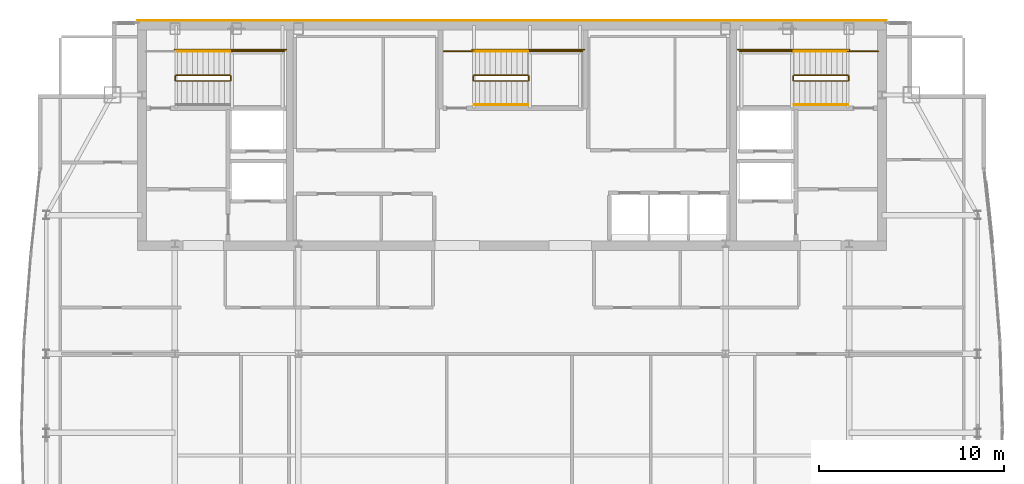
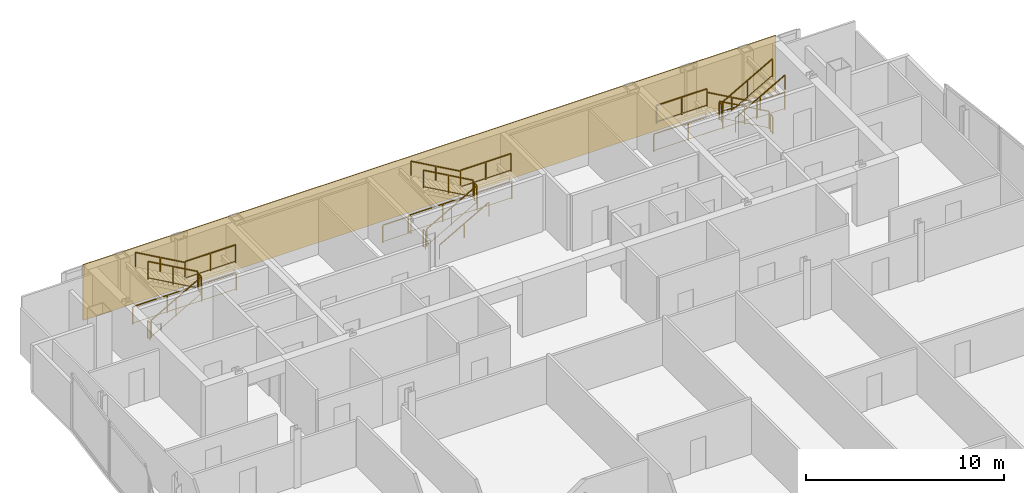
# One storey, part 27 of 27: 25 railings, 1 covering.
"""IFC4 building model written with IfcOpenShell, lengths in metres."""

from ifc_helpers import new_model, si_unit, direction, frame, origin, origin_2d, place, context, subcontext, project, spatial, polyline, rectangle, outline, extrude, material, layer, layer_set, type_object, element, save


model = new_model("IFC4")

# Units and contexts
model_context = context("Model", 3, precision=1e-05, world=origin(), true_north=direction((0.0, 1.0)))
body_context = subcontext(model_context, "Body", "Model", "MODEL_VIEW")
ifc_project = project(units=[si_unit("LENGTHUNIT", "METRE"), si_unit("AREAUNIT", "SQUARE_METRE"), si_unit("VOLUMEUNIT", "CUBIC_METRE"), si_unit("PLANEANGLEUNIT", "RADIAN"), si_unit("MASSUNIT", "GRAM", prefix="KILO")], contexts=[model_context])

# Site, building, storey
site_placement = place(None, origin())
site = spatial("IfcSite", under=ifc_project, at=site_placement, CompositionType="ELEMENT")
building_placement = place(site_placement, origin())
building = spatial("IfcBuilding", under=site, at=building_placement, Name="Khoronbel Lancet Exchange", CompositionType="ELEMENT")
storey_placement = place(building_placement, frame((0.0, 0.0, 343.39990234375)))
storey = spatial("IfcBuildingStorey", under=building, at=storey_placement, Name="L89", CompositionType="ELEMENT", Elevation=343.39990234375)

# Covering
ifc_material_1 = material(Name="Honed Egyptian Limestone & Bronze Rainscreen", Category="masonry")
ifc_layer = layer(ifc_material_1, 0.050048828125, Name="Honed Egyptian Limestone & Bronze Rainscreen")
ifc_layer_set = layer_set([ifc_layer], Name="Honed Egyptian Limestone & Bronze Rainscreen")
covering_type = type_object("IfcCoveringType", Name="COV-CLAD1", PredefinedType="CLADDING", material=ifc_layer_set)
covering_placement = place(storey_placement, origin())
element("IfcCovering", 1, at=covering_placement, inside=storey, type_object=covering_type, Name="Level L89 north rear-core stone and bronze rainscreen cladding", PredefinedType="CLADDING", context=body_context, shape_type="SweptSolid", body=[
    extrude(outline(polyline([(16.199951171875, 53.699951171875), (56.699951171875, 53.699951171875), (56.699951171875, 53.75), (16.199951171875, 53.75), (16.199951171875, 53.699951171875)])), origin(), (0.0, 0.0, 1.0), 3.440185546875),
])

# Railings
ifc_material_2 = material(Name="Painted Steel Balustrade", Category="steel")
railing_type_1 = type_object("IfcRailingType", Name="RL-STG110", PredefinedType="GUARDRAIL", material=ifc_material_2)
railing_1_placement = place(storey_placement, frame((18.300048828125, 50.449951171875, 0.163818359375)))
element("IfcRailing", 2, at=railing_1_placement, inside=storey, type_object=railing_type_1, Name="L89 ST1 stair guard 1", PredefinedType="GUARDRAIL", context=body_context, shape_type="SweptSolid", body=[
    extrude(rectangle(XDim=0.048095703125, YDim=0.048095703125, at=origin_2d()), frame((0.0, 0.0, 1.09619140625), z_axis=(0.870928581787, 0.0, 0.491409610636), x_axis=(0.0, 1.0, 0.0)), (0.0, 0.0, 1.0), 3.32958984375),
    extrude(rectangle(XDim=0.02392578125, YDim=0.02392578125, at=origin_2d()), frame((0.0, 0.0, 0.080078125), z_axis=(0.870928581787, 0.0, 0.491409610636), x_axis=(0.0, 1.0, 0.0)), (0.0, 0.0, 1.0), 3.32958984375),
    extrude(rectangle(XDim=0.0419921875, YDim=0.0419921875, at=origin_2d()), origin(), (0.0, 0.0, 1.0), 1.072021484375),
    extrude(rectangle(XDim=0.0419921875, YDim=0.0419921875, at=origin_2d()), frame((1.449951171875, 0.0, 0.818115234375)), (0.0, 0.0, 1.0), 1.072021484375),
    extrude(rectangle(XDim=0.0419921875, YDim=0.0419921875, at=origin_2d()), frame((2.89990234375, 0.0, 1.63623046875)), (0.0, 0.0, 1.0), 1.072021484375),
])
railing_2_placement = place(storey_placement, frame((21.25, 50.5, 1.800048828125)))
element("IfcRailing", 3, at=railing_2_placement, inside=storey, type_object=railing_type_1, Name="L89 ST1 stair guard 2", PredefinedType="GUARDRAIL", context=body_context, shape_type="SweptSolid", body=[
    extrude(rectangle(XDim=0.048095703125, YDim=0.048095703125, at=origin_2d()), frame((0.0, 0.0, 1.09619140625), z_axis=(0.0, 1.0, 0.0), x_axis=(-1.0, 0.0, 0.0)), (0.0, 0.0, 1.0), 0.219970703125),
    extrude(rectangle(XDim=0.02392578125, YDim=0.02392578125, at=origin_2d()), frame((0.0, 0.0, 0.080078125), z_axis=(0.0, 1.0, 0.0), x_axis=(-1.0, 0.0, 0.0)), (0.0, 0.0, 1.0), 0.219970703125),
    extrude(rectangle(XDim=0.0419921875, YDim=0.0419921875, at=origin_2d()), origin(), (0.0, 0.0, 1.0), 1.072021484375),
    extrude(rectangle(XDim=0.0419921875, YDim=0.0419921875, at=origin_2d()), frame((0.0, 0.219970703125, 0.0)), (0.0, 0.0, 1.0), 1.072021484375),
])
railing_3_placement = place(storey_placement, frame((21.199951171875, 52.050048828125, 1.800048828125)))
element("IfcRailing", 4, at=railing_3_placement, inside=storey, type_object=railing_type_1, Name="L89 ST1 stair guard 3", PredefinedType="GUARDRAIL", context=body_context, shape_type="SweptSolid", body=[
    extrude(rectangle(XDim=0.048095703125, YDim=0.048095703125, at=origin_2d()), frame((0.0, 0.0, 1.09619140625), z_axis=(1.0, 0.0, 0.0), x_axis=(0.0, 1.0, 0.0)), (0.0, 0.0, 1.0), 2.949951171875),
    extrude(rectangle(XDim=0.02392578125, YDim=0.02392578125, at=origin_2d()), frame((0.0, 0.0, 0.080078125), z_axis=(1.0, 0.0, 0.0), x_axis=(0.0, 1.0, 0.0)), (0.0, 0.0, 1.0), 2.949951171875),
    extrude(rectangle(XDim=0.0419921875, YDim=0.0419921875, at=origin_2d()), origin(), (0.0, 0.0, 1.0), 1.072021484375),
    extrude(rectangle(XDim=0.0419921875, YDim=0.0419921875, at=origin_2d()), frame((1.47509765625, 0.0, 0.0)), (0.0, 0.0, 1.0), 1.072021484375),
    extrude(rectangle(XDim=0.0419921875, YDim=0.0419921875, at=origin_2d()), frame((2.949951171875, 0.0, 0.0)), (0.0, 0.0, 1.0), 1.072021484375),
])
railing_4_placement = place(storey_placement, frame((21.199951171875, 50.77001953125, 1.963623046875)))
element("IfcRailing", 5, at=railing_4_placement, inside=storey, type_object=railing_type_1, Name="L89 ST1 stair guard 4", PredefinedType="GUARDRAIL", context=body_context, shape_type="SweptSolid", body=[
    extrude(rectangle(XDim=0.048095703125, YDim=0.048095703125, at=origin_2d()), frame((0.0, 0.0, 1.09619140625), z_axis=(-0.870897200241, 0.0, 0.491465224214), x_axis=(0.0, -1.0, 0.0)), (0.0, 0.0, 1.0), 3.329833984375),
    extrude(rectangle(XDim=0.02392578125, YDim=0.02392578125, at=origin_2d()), frame((0.0, 0.0, 0.080078125), z_axis=(-0.870897200241, 0.0, 0.491465224214), x_axis=(0.0, -1.0, 0.0)), (0.0, 0.0, 1.0), 3.329833984375),
    extrude(rectangle(XDim=0.0419921875, YDim=0.0419921875, at=origin_2d()), origin(), (0.0, 0.0, 1.0), 1.072021484375),
    extrude(rectangle(XDim=0.0419921875, YDim=0.0419921875, at=origin_2d()), frame((-1.449951171875, 0.0, 0.818359375)), (0.0, 0.0, 1.0), 1.072021484375),
    extrude(rectangle(XDim=0.0419921875, YDim=0.0419921875, at=origin_2d()), frame((-2.89990234375, 0.0, 1.636474609375)), (0.0, 0.0, 1.0), 1.072021484375),
])
railing_5_placement = place(storey_placement, frame((18.25, 50.5, 0.0)))
element("IfcRailing", 6, at=railing_5_placement, inside=storey, type_object=railing_type_1, Name="L89 ST1 stair guard 5", PredefinedType="GUARDRAIL", context=body_context, shape_type="SweptSolid", body=[
    extrude(rectangle(XDim=0.048095703125, YDim=0.048095703125, at=origin_2d()), frame((0.0, 0.0, 1.09619140625), z_axis=(0.0, 1.0, 0.0), x_axis=(-1.0, 0.0, 0.0)), (0.0, 0.0, 1.0), 0.219970703125),
    extrude(rectangle(XDim=0.02392578125, YDim=0.02392578125, at=origin_2d()), frame((0.0, 0.0, 0.080078125), z_axis=(0.0, 1.0, 0.0), x_axis=(-1.0, 0.0, 0.0)), (0.0, 0.0, 1.0), 0.219970703125),
    extrude(rectangle(XDim=0.0419921875, YDim=0.0419921875, at=origin_2d()), origin(), (0.0, 0.0, 1.0), 1.072021484375),
    extrude(rectangle(XDim=0.0419921875, YDim=0.0419921875, at=origin_2d()), frame((0.0, 0.219970703125, 0.0)), (0.0, 0.0, 1.0), 1.072021484375),
])
railing_6_placement = place(storey_placement, frame((18.199951171875, 52.14990234375, 0.0)))
element("IfcRailing", 7, at=railing_6_placement, inside=storey, type_object=railing_type_1, Name="L89 ST1 stair guard 7", PredefinedType="GUARDRAIL", context=body_context, shape_type="SweptSolid", body=[
    extrude(rectangle(XDim=0.048095703125, YDim=0.048095703125, at=origin_2d()), frame((0.0, 0.0, 1.09619140625), z_axis=(1.0, 0.0, 0.0), x_axis=(0.0, 1.0, 0.0)), (0.0, 0.0, 1.0), 6.050048828125),
    extrude(rectangle(XDim=0.02392578125, YDim=0.02392578125, at=origin_2d()), frame((0.0, 0.0, 0.080078125), z_axis=(1.0, 0.0, 0.0), x_axis=(0.0, 1.0, 0.0)), (0.0, 0.0, 1.0), 6.050048828125),
    extrude(rectangle(XDim=0.0419921875, YDim=0.0419921875, at=origin_2d()), origin(), (0.0, 0.0, 1.0), 1.072021484375),
    extrude(rectangle(XDim=0.0419921875, YDim=0.0419921875, at=origin_2d()), frame((2.0166015625, 0.0, 0.0)), (0.0, 0.0, 1.0), 1.072021484375),
    extrude(rectangle(XDim=0.0419921875, YDim=0.0419921875, at=origin_2d()), frame((4.033447265625, 0.0, 0.0)), (0.0, 0.0, 1.0), 1.072021484375),
    extrude(rectangle(XDim=0.0419921875, YDim=0.0419921875, at=origin_2d()), frame((6.050048828125, 0.0, 0.0)), (0.0, 0.0, 1.0), 1.072021484375),
])
railing_7_placement = place(storey_placement, frame((54.60009765625, 50.77001953125, 0.163818359375)))
element("IfcRailing", 8, at=railing_7_placement, inside=storey, type_object=railing_type_1, Name="L89 ST2 stair guard 1", PredefinedType="GUARDRAIL", context=body_context, shape_type="SweptSolid", body=[
    extrude(rectangle(XDim=0.048095703125, YDim=0.048095703125, at=origin_2d()), frame((0.0, 0.0, 1.09619140625), z_axis=(-0.870946286338, 0.0, 0.49137823142), x_axis=(0.0, -1.0, 0.0)), (0.0, 0.0, 1.0), 3.329833984375),
    extrude(rectangle(XDim=0.02392578125, YDim=0.02392578125, at=origin_2d()), frame((0.0, 0.0, 0.080078125), z_axis=(-0.870946286338, 0.0, 0.49137823142), x_axis=(0.0, -1.0, 0.0)), (0.0, 0.0, 1.0), 3.329833984375),
    extrude(rectangle(XDim=0.0419921875, YDim=0.0419921875, at=origin_2d()), origin(), (0.0, 0.0, 1.0), 1.072021484375),
    extrude(rectangle(XDim=0.0419921875, YDim=0.0419921875, at=origin_2d()), frame((-1.4501953125, 0.0, 0.818115234375)), (0.0, 0.0, 1.0), 1.072021484375),
    extrude(rectangle(XDim=0.0419921875, YDim=0.0419921875, at=origin_2d()), frame((-2.900146484375, 0.0, 1.63623046875)), (0.0, 0.0, 1.0), 1.072021484375),
])
railing_8_placement = place(storey_placement, frame((51.64990234375, 50.719970703125, 1.800048828125)))
element("IfcRailing", 9, at=railing_8_placement, inside=storey, type_object=railing_type_1, Name="L89 ST2 stair guard 2", PredefinedType="GUARDRAIL", context=body_context, shape_type="SweptSolid", body=[
    extrude(rectangle(XDim=0.048095703125, YDim=0.048095703125, at=origin_2d()), frame((0.0, 0.0, 1.09619140625), z_axis=(0.0, -1.0, 0.0), x_axis=(1.0, 0.0, 0.0)), (0.0, 0.0, 1.0), 0.219970703125),
    extrude(rectangle(XDim=0.02392578125, YDim=0.02392578125, at=origin_2d()), frame((0.0, 0.0, 0.080078125), z_axis=(0.0, -1.0, 0.0), x_axis=(1.0, 0.0, 0.0)), (0.0, 0.0, 1.0), 0.219970703125),
    extrude(rectangle(XDim=0.0419921875, YDim=0.0419921875, at=origin_2d()), origin(), (0.0, 0.0, 1.0), 1.072021484375),
    extrude(rectangle(XDim=0.0419921875, YDim=0.0419921875, at=origin_2d()), frame((0.0, -0.219970703125, 0.0)), (0.0, 0.0, 1.0), 1.072021484375),
])
railing_9_placement = place(storey_placement, frame((51.699951171875, 52.050048828125, 1.800048828125)))
element("IfcRailing", 10, at=railing_9_placement, inside=storey, type_object=railing_type_1, Name="L89 ST2 stair guard 3", PredefinedType="GUARDRAIL", context=body_context, shape_type="SweptSolid", body=[
    extrude(rectangle(XDim=0.048095703125, YDim=0.048095703125, at=origin_2d()), frame((0.0, 0.0, 1.09619140625), z_axis=(-1.0, 0.0, 0.0), x_axis=(0.0, -1.0, 0.0)), (0.0, 0.0, 1.0), 2.949951171875),
    extrude(rectangle(XDim=0.02392578125, YDim=0.02392578125, at=origin_2d()), frame((0.0, 0.0, 0.080078125), z_axis=(-1.0, 0.0, 0.0), x_axis=(0.0, -1.0, 0.0)), (0.0, 0.0, 1.0), 2.949951171875),
    extrude(rectangle(XDim=0.0419921875, YDim=0.0419921875, at=origin_2d()), origin(), (0.0, 0.0, 1.0), 1.072021484375),
    extrude(rectangle(XDim=0.0419921875, YDim=0.0419921875, at=origin_2d()), frame((-1.47509765625, 0.0, 0.0)), (0.0, 0.0, 1.0), 1.072021484375),
    extrude(rectangle(XDim=0.0419921875, YDim=0.0419921875, at=origin_2d()), frame((-2.949951171875, 0.0, 0.0)), (0.0, 0.0, 1.0), 1.072021484375),
])
railing_10_placement = place(storey_placement, frame((51.699951171875, 50.449951171875, 1.963623046875)))
element("IfcRailing", 11, at=railing_10_placement, inside=storey, type_object=railing_type_1, Name="L89 ST2 stair guard 4", PredefinedType="GUARDRAIL", context=body_context, shape_type="SweptSolid", body=[
    extrude(rectangle(XDim=0.048095703125, YDim=0.048095703125, at=origin_2d()), frame((0.0, 0.0, 1.09619140625), z_axis=(0.870914908162, 0.0, 0.491433843708), x_axis=(0.0, 1.0, 0.0)), (0.0, 0.0, 1.0), 3.330078125),
    extrude(rectangle(XDim=0.02392578125, YDim=0.02392578125, at=origin_2d()), frame((0.0, 0.0, 0.080078125), z_axis=(0.870914908162, 0.0, 0.491433843708), x_axis=(0.0, 1.0, 0.0)), (0.0, 0.0, 1.0), 3.330078125),
    extrude(rectangle(XDim=0.0419921875, YDim=0.0419921875, at=origin_2d()), origin(), (0.0, 0.0, 1.0), 1.072021484375),
    extrude(rectangle(XDim=0.0419921875, YDim=0.0419921875, at=origin_2d()), frame((1.4501953125, 0.0, 0.818359375)), (0.0, 0.0, 1.0), 1.072021484375),
    extrude(rectangle(XDim=0.0419921875, YDim=0.0419921875, at=origin_2d()), frame((2.900146484375, 0.0, 1.636474609375)), (0.0, 0.0, 1.0), 1.072021484375),
])
railing_11_placement = place(storey_placement, frame((54.64990234375, 50.719970703125, 0.0)))
element("IfcRailing", 12, at=railing_11_placement, inside=storey, type_object=railing_type_1, Name="L89 ST2 stair guard 5", PredefinedType="GUARDRAIL", context=body_context, shape_type="SweptSolid", body=[
    extrude(rectangle(XDim=0.048095703125, YDim=0.048095703125, at=origin_2d()), frame((0.0, 0.0, 1.09619140625), z_axis=(0.0, -1.0, 0.0), x_axis=(1.0, 0.0, 0.0)), (0.0, 0.0, 1.0), 0.219970703125),
    extrude(rectangle(XDim=0.02392578125, YDim=0.02392578125, at=origin_2d()), frame((0.0, 0.0, 0.080078125), z_axis=(0.0, -1.0, 0.0), x_axis=(1.0, 0.0, 0.0)), (0.0, 0.0, 1.0), 0.219970703125),
    extrude(rectangle(XDim=0.0419921875, YDim=0.0419921875, at=origin_2d()), origin(), (0.0, 0.0, 1.0), 1.072021484375),
    extrude(rectangle(XDim=0.0419921875, YDim=0.0419921875, at=origin_2d()), frame((0.0, -0.219970703125, 0.0)), (0.0, 0.0, 1.0), 1.072021484375),
])
railing_12_placement = place(storey_placement, frame((56.25, 52.050048828125, 0.0)))
element("IfcRailing", 13, at=railing_12_placement, inside=storey, type_object=railing_type_1, Name="L89 ST2 stair guard 6", PredefinedType="GUARDRAIL", context=body_context, shape_type="SweptSolid", body=[
    extrude(rectangle(XDim=0.048095703125, YDim=0.048095703125, at=origin_2d()), frame((0.0, 0.0, 1.09619140625), z_axis=(-1.0, 0.0, 0.0), x_axis=(0.0, -1.0, 0.0)), (0.0, 0.0, 1.0), 1.64990234375),
    extrude(rectangle(XDim=0.02392578125, YDim=0.02392578125, at=origin_2d()), frame((0.0, 0.0, 0.080078125), z_axis=(-1.0, 0.0, 0.0), x_axis=(0.0, -1.0, 0.0)), (0.0, 0.0, 1.0), 1.64990234375),
    extrude(rectangle(XDim=0.0419921875, YDim=0.0419921875, at=origin_2d()), origin(), (0.0, 0.0, 1.0), 1.072021484375),
    extrude(rectangle(XDim=0.0419921875, YDim=0.0419921875, at=origin_2d()), frame((-1.64990234375, 0.0, 0.0)), (0.0, 0.0, 1.0), 1.072021484375),
])
railing_13_placement = place(storey_placement, frame((54.699951171875, 52.14990234375, 0.0)))
element("IfcRailing", 14, at=railing_13_placement, inside=storey, type_object=railing_type_1, Name="L89 ST2 stair guard 7", PredefinedType="GUARDRAIL", context=body_context, shape_type="SweptSolid", body=[
    extrude(rectangle(XDim=0.048095703125, YDim=0.048095703125, at=origin_2d()), frame((0.0, 0.0, 1.09619140625), z_axis=(-1.0, 0.0, 0.0), x_axis=(0.0, -1.0, 0.0)), (0.0, 0.0, 1.0), 6.050048828125),
    extrude(rectangle(XDim=0.02392578125, YDim=0.02392578125, at=origin_2d()), frame((0.0, 0.0, 0.080078125), z_axis=(-1.0, 0.0, 0.0), x_axis=(0.0, -1.0, 0.0)), (0.0, 0.0, 1.0), 6.050048828125),
    extrude(rectangle(XDim=0.0419921875, YDim=0.0419921875, at=origin_2d()), origin(), (0.0, 0.0, 1.0), 1.072021484375),
    extrude(rectangle(XDim=0.0419921875, YDim=0.0419921875, at=origin_2d()), frame((-2.0166015625, 0.0, 0.0)), (0.0, 0.0, 1.0), 1.072021484375),
    extrude(rectangle(XDim=0.0419921875, YDim=0.0419921875, at=origin_2d()), frame((-4.033447265625, 0.0, 0.0)), (0.0, 0.0, 1.0), 1.072021484375),
    extrude(rectangle(XDim=0.0419921875, YDim=0.0419921875, at=origin_2d()), frame((-6.050048828125, 0.0, 0.0)), (0.0, 0.0, 1.0), 1.072021484375),
])
railing_14_placement = place(storey_placement, frame((34.39990234375, 50.449951171875, 0.163818359375)))
element("IfcRailing", 15, at=railing_14_placement, inside=storey, type_object=railing_type_1, Name="L89 ST3 stair guard 1", PredefinedType="GUARDRAIL", context=body_context, shape_type="SweptSolid", body=[
    extrude(rectangle(XDim=0.048095703125, YDim=0.048095703125, at=origin_2d()), frame((0.0, 0.0, 1.09619140625), z_axis=(0.870946286338, 0.0, 0.49137823142), x_axis=(0.0, 1.0, 0.0)), (0.0, 0.0, 1.0), 3.329833984375),
    extrude(rectangle(XDim=0.02392578125, YDim=0.02392578125, at=origin_2d()), frame((0.0, 0.0, 0.080078125), z_axis=(0.870946286338, 0.0, 0.49137823142), x_axis=(0.0, 1.0, 0.0)), (0.0, 0.0, 1.0), 3.329833984375),
    extrude(rectangle(XDim=0.0419921875, YDim=0.0419921875, at=origin_2d()), origin(), (0.0, 0.0, 1.0), 1.072021484375),
    extrude(rectangle(XDim=0.0419921875, YDim=0.0419921875, at=origin_2d()), frame((1.4501953125, 0.0, 0.818115234375)), (0.0, 0.0, 1.0), 1.072021484375),
    extrude(rectangle(XDim=0.0419921875, YDim=0.0419921875, at=origin_2d()), frame((2.900146484375, 0.0, 1.63623046875)), (0.0, 0.0, 1.0), 1.072021484375),
])
railing_15_placement = place(storey_placement, frame((37.35009765625, 50.5, 1.800048828125)))
element("IfcRailing", 16, at=railing_15_placement, inside=storey, type_object=railing_type_1, Name="L89 ST3 stair guard 2", PredefinedType="GUARDRAIL", context=body_context, shape_type="SweptSolid", body=[
    extrude(rectangle(XDim=0.048095703125, YDim=0.048095703125, at=origin_2d()), frame((0.0, 0.0, 1.09619140625), z_axis=(0.0, 1.0, 0.0), x_axis=(-1.0, 0.0, 0.0)), (0.0, 0.0, 1.0), 0.219970703125),
    extrude(rectangle(XDim=0.02392578125, YDim=0.02392578125, at=origin_2d()), frame((0.0, 0.0, 0.080078125), z_axis=(0.0, 1.0, 0.0), x_axis=(-1.0, 0.0, 0.0)), (0.0, 0.0, 1.0), 0.219970703125),
    extrude(rectangle(XDim=0.0419921875, YDim=0.0419921875, at=origin_2d()), origin(), (0.0, 0.0, 1.0), 1.072021484375),
    extrude(rectangle(XDim=0.0419921875, YDim=0.0419921875, at=origin_2d()), frame((0.0, 0.219970703125, 0.0)), (0.0, 0.0, 1.0), 1.072021484375),
])
railing_16_placement = place(storey_placement, frame((37.300048828125, 52.050048828125, 1.800048828125)))
element("IfcRailing", 17, at=railing_16_placement, inside=storey, type_object=railing_type_1, Name="L89 ST3 stair guard 3", PredefinedType="GUARDRAIL", context=body_context, shape_type="SweptSolid", body=[
    extrude(rectangle(XDim=0.048095703125, YDim=0.048095703125, at=origin_2d()), frame((0.0, 0.0, 1.09619140625), z_axis=(1.0, 0.0, 0.0), x_axis=(0.0, 1.0, 0.0)), (0.0, 0.0, 1.0), 2.949951171875),
    extrude(rectangle(XDim=0.02392578125, YDim=0.02392578125, at=origin_2d()), frame((0.0, 0.0, 0.080078125), z_axis=(1.0, 0.0, 0.0), x_axis=(0.0, 1.0, 0.0)), (0.0, 0.0, 1.0), 2.949951171875),
    extrude(rectangle(XDim=0.0419921875, YDim=0.0419921875, at=origin_2d()), origin(), (0.0, 0.0, 1.0), 1.072021484375),
    extrude(rectangle(XDim=0.0419921875, YDim=0.0419921875, at=origin_2d()), frame((1.47509765625, 0.0, 0.0)), (0.0, 0.0, 1.0), 1.072021484375),
    extrude(rectangle(XDim=0.0419921875, YDim=0.0419921875, at=origin_2d()), frame((2.949951171875, 0.0, 0.0)), (0.0, 0.0, 1.0), 1.072021484375),
])
railing_17_placement = place(storey_placement, frame((37.300048828125, 50.77001953125, 1.963623046875)))
element("IfcRailing", 18, at=railing_17_placement, inside=storey, type_object=railing_type_1, Name="L89 ST3 stair guard 4", PredefinedType="GUARDRAIL", context=body_context, shape_type="SweptSolid", body=[
    extrude(rectangle(XDim=0.048095703125, YDim=0.048095703125, at=origin_2d()), frame((0.0, 0.0, 1.09619140625), z_axis=(-0.870914908162, 0.0, 0.491433843708), x_axis=(0.0, -1.0, 0.0)), (0.0, 0.0, 1.0), 3.330078125),
    extrude(rectangle(XDim=0.02392578125, YDim=0.02392578125, at=origin_2d()), frame((0.0, 0.0, 0.080078125), z_axis=(-0.870914908162, 0.0, 0.491433843708), x_axis=(0.0, -1.0, 0.0)), (0.0, 0.0, 1.0), 3.330078125),
    extrude(rectangle(XDim=0.0419921875, YDim=0.0419921875, at=origin_2d()), origin(), (0.0, 0.0, 1.0), 1.072021484375),
    extrude(rectangle(XDim=0.0419921875, YDim=0.0419921875, at=origin_2d()), frame((-1.4501953125, 0.0, 0.818359375)), (0.0, 0.0, 1.0), 1.072021484375),
    extrude(rectangle(XDim=0.0419921875, YDim=0.0419921875, at=origin_2d()), frame((-2.900146484375, 0.0, 1.636474609375)), (0.0, 0.0, 1.0), 1.072021484375),
])
railing_18_placement = place(storey_placement, frame((34.35009765625, 50.5, 0.0)))
element("IfcRailing", 19, at=railing_18_placement, inside=storey, type_object=railing_type_1, Name="L89 ST3 stair guard 5", PredefinedType="GUARDRAIL", context=body_context, shape_type="SweptSolid", body=[
    extrude(rectangle(XDim=0.048095703125, YDim=0.048095703125, at=origin_2d()), frame((0.0, 0.0, 1.09619140625), z_axis=(0.0, 1.0, 0.0), x_axis=(-1.0, 0.0, 0.0)), (0.0, 0.0, 1.0), 0.219970703125),
    extrude(rectangle(XDim=0.02392578125, YDim=0.02392578125, at=origin_2d()), frame((0.0, 0.0, 0.080078125), z_axis=(0.0, 1.0, 0.0), x_axis=(-1.0, 0.0, 0.0)), (0.0, 0.0, 1.0), 0.219970703125),
    extrude(rectangle(XDim=0.0419921875, YDim=0.0419921875, at=origin_2d()), origin(), (0.0, 0.0, 1.0), 1.072021484375),
    extrude(rectangle(XDim=0.0419921875, YDim=0.0419921875, at=origin_2d()), frame((0.0, 0.219970703125, 0.0)), (0.0, 0.0, 1.0), 1.072021484375),
])
railing_19_placement = place(storey_placement, frame((32.75, 52.050048828125, 0.0)))
element("IfcRailing", 20, at=railing_19_placement, inside=storey, type_object=railing_type_1, Name="L89 ST3 stair guard 6", PredefinedType="GUARDRAIL", context=body_context, shape_type="SweptSolid", body=[
    extrude(rectangle(XDim=0.048095703125, YDim=0.048095703125, at=origin_2d()), frame((0.0, 0.0, 1.09619140625), z_axis=(1.0, 0.0, 0.0), x_axis=(0.0, 1.0, 0.0)), (0.0, 0.0, 1.0), 1.64990234375),
    extrude(rectangle(XDim=0.02392578125, YDim=0.02392578125, at=origin_2d()), frame((0.0, 0.0, 0.080078125), z_axis=(1.0, 0.0, 0.0), x_axis=(0.0, 1.0, 0.0)), (0.0, 0.0, 1.0), 1.64990234375),
    extrude(rectangle(XDim=0.0419921875, YDim=0.0419921875, at=origin_2d()), origin(), (0.0, 0.0, 1.0), 1.072021484375),
    extrude(rectangle(XDim=0.0419921875, YDim=0.0419921875, at=origin_2d()), frame((1.64990234375, 0.0, 0.0)), (0.0, 0.0, 1.0), 1.072021484375),
])
railing_20_placement = place(storey_placement, frame((34.300048828125, 52.14990234375, 0.0)))
element("IfcRailing", 21, at=railing_20_placement, inside=storey, type_object=railing_type_1, Name="L89 ST3 stair guard 7", PredefinedType="GUARDRAIL", context=body_context, shape_type="SweptSolid", body=[
    extrude(rectangle(XDim=0.048095703125, YDim=0.048095703125, at=origin_2d()), frame((0.0, 0.0, 1.09619140625), z_axis=(1.0, 0.0, 0.0), x_axis=(0.0, 1.0, 0.0)), (0.0, 0.0, 1.0), 6.050048828125),
    extrude(rectangle(XDim=0.02392578125, YDim=0.02392578125, at=origin_2d()), frame((0.0, 0.0, 0.080078125), z_axis=(1.0, 0.0, 0.0), x_axis=(0.0, 1.0, 0.0)), (0.0, 0.0, 1.0), 6.050048828125),
    extrude(rectangle(XDim=0.0419921875, YDim=0.0419921875, at=origin_2d()), origin(), (0.0, 0.0, 1.0), 1.072021484375),
    extrude(rectangle(XDim=0.0419921875, YDim=0.0419921875, at=origin_2d()), frame((2.0166015625, 0.0, 0.0)), (0.0, 0.0, 1.0), 1.072021484375),
    extrude(rectangle(XDim=0.0419921875, YDim=0.0419921875, at=origin_2d()), frame((4.033447265625, 0.0, 0.0)), (0.0, 0.0, 1.0), 1.072021484375),
    extrude(rectangle(XDim=0.0419921875, YDim=0.0419921875, at=origin_2d()), frame((6.050048828125, 0.0, 0.0)), (0.0, 0.0, 1.0), 1.072021484375),
])
ifc_material_3 = material(Name="Brushed Stainless Steel 316", Category="steel")
railing_type_2 = type_object("IfcRailingType", Name="RL-STH92", PredefinedType="HANDRAIL", material=ifc_material_3)
railing_21_placement = place(storey_placement, frame((21.199951171875, 52.050048828125, 1.963623046875)))
element("IfcRailing", 22, at=railing_21_placement, inside=storey, type_object=railing_type_2, Name="L89 ST1 stair handrail 2", PredefinedType="HANDRAIL", context=body_context, shape_type="SweptSolid", body=[
    extrude(rectangle(XDim=0.048095703125, YDim=0.048095703125, at=origin_2d()), frame((0.0, 0.0, 0.8759765625), z_axis=(-0.870897200241, 0.0, 0.491465224214), x_axis=(0.0, -1.0, 0.0)), (0.0, 0.0, 1.0), 3.329833984375),
    extrude(rectangle(XDim=0.0419921875, YDim=0.0419921875, at=origin_2d()), origin(), (0.0, 0.0, 1.0), 0.851806640625),
    extrude(rectangle(XDim=0.0419921875, YDim=0.0419921875, at=origin_2d()), frame((-1.449951171875, 0.0, 0.818359375)), (0.0, 0.0, 1.0), 0.851806640625),
    extrude(rectangle(XDim=0.0419921875, YDim=0.0419921875, at=origin_2d()), frame((-2.89990234375, 0.0, 1.636474609375)), (0.0, 0.0, 1.0), 0.851806640625),
])
railing_22_placement = place(storey_placement, frame((54.60009765625, 52.050048828125, 0.163818359375)))
element("IfcRailing", 23, at=railing_22_placement, inside=storey, type_object=railing_type_2, Name="L89 ST2 stair handrail 1", PredefinedType="HANDRAIL", context=body_context, shape_type="SweptSolid", body=[
    extrude(rectangle(XDim=0.048095703125, YDim=0.048095703125, at=origin_2d()), frame((0.0, 0.0, 0.8759765625), z_axis=(-0.870946286338, 0.0, 0.49137823142), x_axis=(0.0, -1.0, 0.0)), (0.0, 0.0, 1.0), 3.329833984375),
    extrude(rectangle(XDim=0.0419921875, YDim=0.0419921875, at=origin_2d()), origin(), (0.0, 0.0, 1.0), 0.851806640625),
    extrude(rectangle(XDim=0.0419921875, YDim=0.0419921875, at=origin_2d()), frame((-1.4501953125, 0.0, 0.818115234375)), (0.0, 0.0, 1.0), 0.851806640625),
    extrude(rectangle(XDim=0.0419921875, YDim=0.0419921875, at=origin_2d()), frame((-2.900146484375, 0.0, 1.63623046875)), (0.0, 0.0, 1.0), 0.851806640625),
])
railing_23_placement = place(storey_placement, frame((51.699951171875, 49.169921875, 1.963623046875)))
element("IfcRailing", 24, at=railing_23_placement, inside=storey, type_object=railing_type_2, Name="L89 ST2 stair handrail 2", PredefinedType="HANDRAIL", context=body_context, shape_type="SweptSolid", body=[
    extrude(rectangle(XDim=0.048095703125, YDim=0.048095703125, at=origin_2d()), frame((0.0, 0.0, 0.8759765625), z_axis=(0.870914908162, 0.0, 0.491433843708), x_axis=(0.0, 1.0, 0.0)), (0.0, 0.0, 1.0), 3.330078125),
    extrude(rectangle(XDim=0.0419921875, YDim=0.0419921875, at=origin_2d()), origin(), (0.0, 0.0, 1.0), 0.851806640625),
    extrude(rectangle(XDim=0.0419921875, YDim=0.0419921875, at=origin_2d()), frame((1.4501953125, 0.0, 0.818359375)), (0.0, 0.0, 1.0), 0.851806640625),
    extrude(rectangle(XDim=0.0419921875, YDim=0.0419921875, at=origin_2d()), frame((2.900146484375, 0.0, 1.636474609375)), (0.0, 0.0, 1.0), 0.851806640625),
])
railing_24_placement = place(storey_placement, frame((34.39990234375, 49.169921875, 0.163818359375)))
element("IfcRailing", 25, at=railing_24_placement, inside=storey, type_object=railing_type_2, Name="L89 ST3 stair handrail 1", PredefinedType="HANDRAIL", context=body_context, shape_type="SweptSolid", body=[
    extrude(rectangle(XDim=0.048095703125, YDim=0.048095703125, at=origin_2d()), frame((0.0, 0.0, 0.8759765625), z_axis=(0.870946286338, 0.0, 0.49137823142), x_axis=(0.0, 1.0, 0.0)), (0.0, 0.0, 1.0), 3.329833984375),
    extrude(rectangle(XDim=0.0419921875, YDim=0.0419921875, at=origin_2d()), origin(), (0.0, 0.0, 1.0), 0.851806640625),
    extrude(rectangle(XDim=0.0419921875, YDim=0.0419921875, at=origin_2d()), frame((1.4501953125, 0.0, 0.818115234375)), (0.0, 0.0, 1.0), 0.851806640625),
    extrude(rectangle(XDim=0.0419921875, YDim=0.0419921875, at=origin_2d()), frame((2.900146484375, 0.0, 1.63623046875)), (0.0, 0.0, 1.0), 0.851806640625),
])
railing_25_placement = place(storey_placement, frame((37.300048828125, 52.050048828125, 1.963623046875)))
element("IfcRailing", 26, at=railing_25_placement, inside=storey, type_object=railing_type_2, Name="L89 ST3 stair handrail 2", PredefinedType="HANDRAIL", context=body_context, shape_type="SweptSolid", body=[
    extrude(rectangle(XDim=0.048095703125, YDim=0.048095703125, at=origin_2d()), frame((0.0, 0.0, 0.8759765625), z_axis=(-0.870914908162, 0.0, 0.491433843708), x_axis=(0.0, -1.0, 0.0)), (0.0, 0.0, 1.0), 3.330078125),
    extrude(rectangle(XDim=0.0419921875, YDim=0.0419921875, at=origin_2d()), origin(), (0.0, 0.0, 1.0), 0.851806640625),
    extrude(rectangle(XDim=0.0419921875, YDim=0.0419921875, at=origin_2d()), frame((-1.4501953125, 0.0, 0.818359375)), (0.0, 0.0, 1.0), 0.851806640625),
    extrude(rectangle(XDim=0.0419921875, YDim=0.0419921875, at=origin_2d()), frame((-2.900146484375, 0.0, 1.636474609375)), (0.0, 0.0, 1.0), 0.851806640625),
])

save(model, "model.ifc")
